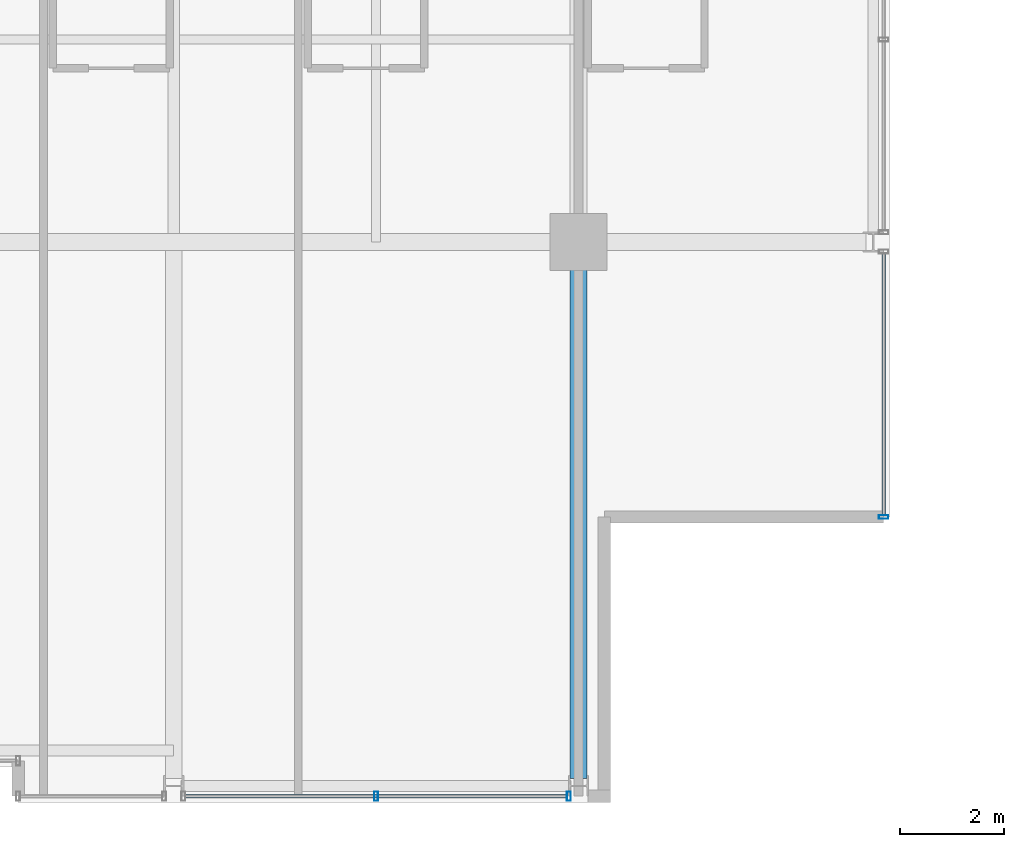
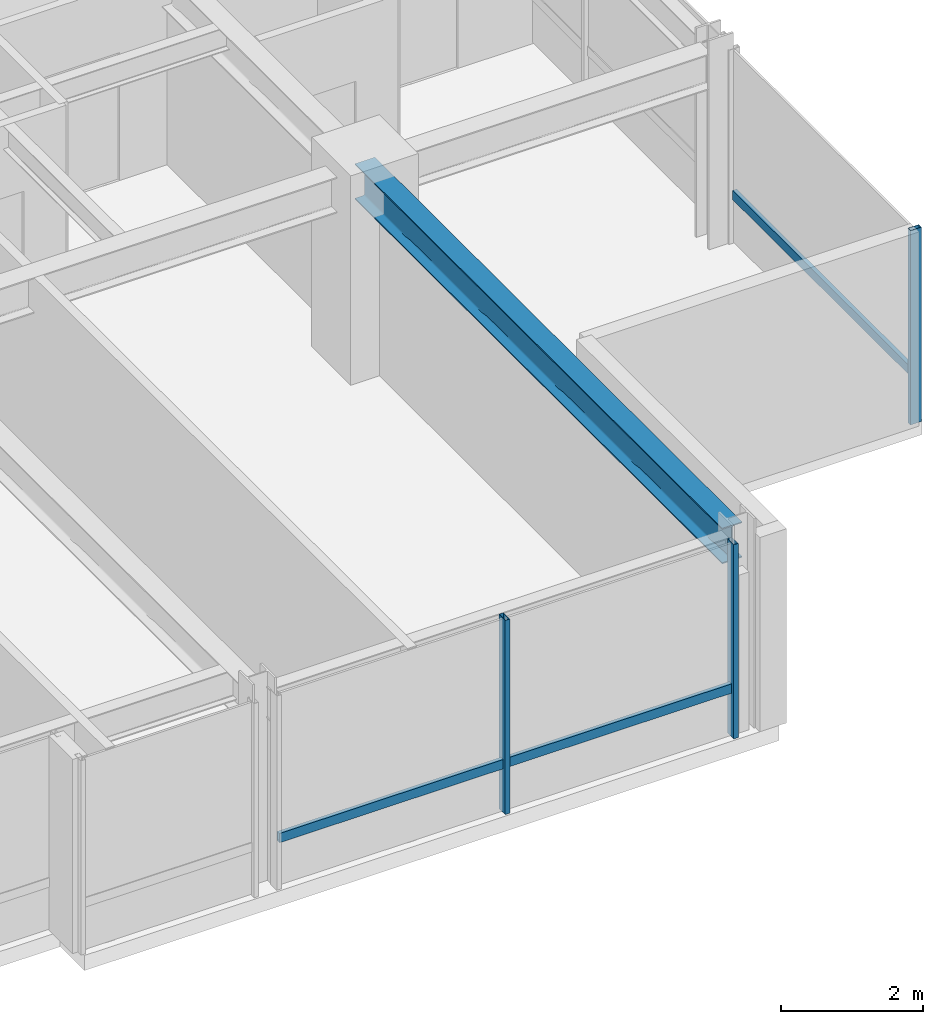
# One storey, part 12 of 33: 5 members, 1 beam, 2 elements without a shape of their own.
"""IFC4 building model written with IfcOpenShell, lengths in metres."""

from ifc_helpers import new_model, si_unit, direction, frame, origin, origin_2d, place, context, subcontext, project, spatial, hollow_rectangle, i_section, extrude, material, layer, layer_set, material_profile, profile_set, type_object, element, aggregate, save


model = new_model("IFC4")

# Units and contexts
model_context = context("Model", 3, precision=1e-05, world=origin(), true_north=direction((0.0, 1.0)))
body_context = subcontext(model_context, "Body", "Model", "MODEL_VIEW")
ifc_project = project(units=[si_unit("LENGTHUNIT", "METRE"), si_unit("AREAUNIT", "SQUARE_METRE"), si_unit("VOLUMEUNIT", "CUBIC_METRE"), si_unit("PLANEANGLEUNIT", "RADIAN"), si_unit("MASSUNIT", "GRAM", prefix="KILO")], contexts=[model_context])

# Site, building, storey
site_placement = place(None, origin())
site = spatial("IfcSite", under=ifc_project, at=site_placement, CompositionType="ELEMENT")
building_placement = place(site_placement, origin())
building = spatial("IfcBuilding", under=site, at=building_placement, Name="Drelvath Grand Hotel", CompositionType="ELEMENT")
storey_placement = place(building_placement, frame((0.0, 0.0, 212.300048828125)))
storey = spatial("IfcBuildingStorey", under=building, at=storey_placement, Name="L55", CompositionType="ELEMENT", Elevation=212.300048828125)

# Curtain wall, member
ifc_material_1 = material(Name="Platinum-Mist Anodised Aluminium Frame", Category="aluminium")
ifc_layer = layer(ifc_material_1, 0.199951171875)
ifc_layer_set = layer_set([ifc_layer], Name="Platinum-Mist Anodised Aluminium Frame")
curtain_wall_type = type_object("IfcCurtainWallType", Name="Stick Curtain Wall CW-05 Platinum Mist High-Rise", PredefinedType="NOTDEFINED", material=ifc_layer_set)
curtain_wall_1_placement = place(storey_placement, origin())
curtain_wall_1 = element("IfcCurtainWall", 1, at=curtain_wall_1_placement, inside=storey, type_object=curtain_wall_type, Name="L55 CW-05 Curtain Wall CW05-L55-ES1", PredefinedType="NOTDEFINED")
ifc_material_profile_1 = material_profile(ifc_material_1, hollow_rectangle(XDim=0.06494140625, YDim=0.159912109375, WallThickness=0.00390625, at=origin_2d()), Name="HSS160X65X4")
ifc_profile_set_1 = profile_set([ifc_material_profile_1], Name="Platinum-Mist Anodised Aluminium Frame")
member_type_1 = type_object("IfcMemberType", Name="Curtain Wall Horizontal Transom CW-05 HSS160X65X4", PredefinedType="USERDEFINED", material=ifc_profile_set_1)
member_1_placement = place(storey_placement, frame((22.080078125, 10.57470703125, 0.8349609375), z_axis=(0.0, -1.0, 0.0), x_axis=(1.0, 0.0, 0.0)))
member_1 = element("IfcMember", 2, at=member_1_placement, type_object=member_type_1, Name="CW05-L55-ES1 Sill Transom", ObjectType="TRANSOM", PredefinedType="USERDEFINED", context=body_context, shape_type="SweptSolid", body=[
    extrude(hollow_rectangle(XDim=0.06494140625, YDim=0.159912109375, WallThickness=0.00390625, at=origin_2d()), origin(), (0.0, 0.0, 1.0), 5.03466796875),
])

curtain_wall_2_placement = place(storey_placement, origin())
curtain_wall_2 = element("IfcCurtainWall", 3, at=curtain_wall_2_placement, inside=storey, type_object=curtain_wall_type, Name="L55 CW-05 Curtain Wall CW05-L55-SE2", PredefinedType="NOTDEFINED")
member_2_placement = place(storey_placement, frame((15.974609375, 0.1201171875, 0.8349609375), z_axis=(-1.0, 0.0, 0.0), x_axis=(0.0, -1.0, 0.0)))
member_2 = element("IfcMember", 4, at=member_2_placement, type_object=member_type_1, Name="CW05-L55-SE2 Sill Transom", ObjectType="TRANSOM", PredefinedType="USERDEFINED", context=body_context, shape_type="SweptSolid", body=[
    extrude(hollow_rectangle(XDim=0.06494140625, YDim=0.159912109375, WallThickness=0.00390625, at=origin_2d()), origin(), (0.0, 0.0, 1.0), 7.349365234375),
])

# Member
ifc_material_profile_2 = material_profile(ifc_material_1, hollow_rectangle(XDim=0.074951171875, YDim=0.179931640625, WallThickness=0.0048828125, at=origin_2d()), Name="HSS180X75X5")
ifc_profile_set_2 = profile_set([ifc_material_profile_2], Name="Platinum-Mist Anodised Aluminium Frame")
member_type_2 = type_object("IfcMemberType", Name="Curtain Wall Vertical Mullion CW-05 HSS180X75X5", PredefinedType="MULLION", material=ifc_profile_set_2)
member_3_placement = place(storey_placement, frame((22.080078125, 5.5, 0.0), z_axis=(0.0, 0.0, 1.0), x_axis=(0.0, 1.0, 0.0)))
member_3 = element("IfcMember", 5, at=member_3_placement, type_object=member_type_2, Name="CW05-L55-ES1 Mullion 2", PredefinedType="MULLION", context=body_context, shape_type="SweptSolid", body=[
    extrude(hollow_rectangle(XDim=0.074951171875, YDim=0.179931640625, WallThickness=0.0048828125, at=origin_2d()), origin(), (0.0, 0.0, 1.0), 3.33984375),
])

aggregate(curtain_wall_1, [member_3, member_1])

member_4_placement = place(storey_placement, frame((16.0146484375, 0.1201171875, 0.0), z_axis=(0.0, 0.0, 1.0), x_axis=(1.0, 0.0, 0.0)))
member_4 = element("IfcMember", 6, at=member_4_placement, type_object=member_type_2, Name="CW05-L55-SE2 Mullion 1", PredefinedType="MULLION", context=body_context, shape_type="SweptSolid", body=[
    extrude(hollow_rectangle(XDim=0.074951171875, YDim=0.179931640625, WallThickness=0.0048828125, at=origin_2d()), origin(), (0.0, 0.0, 1.0), 3.33984375),
])

member_5_placement = place(storey_placement, frame((12.300048828125, 0.1201171875, 0.0), z_axis=(0.0, 0.0, 1.0), x_axis=(1.0, 0.0, 0.0)))
member_5 = element("IfcMember", 7, at=member_5_placement, type_object=member_type_2, Name="CW05-L55-SE2 Mullion 2", PredefinedType="MULLION", context=body_context, shape_type="SweptSolid", body=[
    extrude(hollow_rectangle(XDim=0.074951171875, YDim=0.179931640625, WallThickness=0.0048828125, at=origin_2d()), origin(), (0.0, 0.0, 1.0), 3.33984375),
])

aggregate(curtain_wall_2, [member_4, member_5, member_2])

# Beam
ifc_material_2 = material(Name="Steel ASTM A992 Gr 50", Category="steel")
ifc_material_profile_3 = material_profile(ifc_material_2, i_section(OverallWidth=0.323974609375, OverallDepth=0.611083984375, WebThickness=0.0126953125, FlangeThickness=0.01904296875, FilletRadius=0.02197265625, at=origin_2d()), Name="W24X104")
ifc_profile_set_3 = profile_set([ifc_material_profile_3], Name="Steel ASTM A992 Gr 50")
beam_type = type_object("IfcBeamType", Name="Primary Floor Girder W24X104", PredefinedType="BEAM", material=ifc_profile_set_3)
beam_placement = place(storey_placement, frame((16.199951171875, 0.4599609375, 3.034423828125), z_axis=(0.0, 1.0, 0.0), x_axis=(-1.0, 0.0, 0.0)))
element("IfcBeam", 8, at=beam_placement, inside=storey, type_object=beam_type, Name="L55 South Grid Girder 7", PredefinedType="BEAM", context=body_context, shape_type="SweptSolid", body=[
    extrude(i_section(OverallWidth=0.323974609375, OverallDepth=0.611083984375, WebThickness=0.0126953125, FlangeThickness=0.01904296875, FilletRadius=0.02197265625, at=origin_2d()), origin(), (0.0, 0.0, 1.0), 10.340087890625),
])

save(model, "model.ifc")
